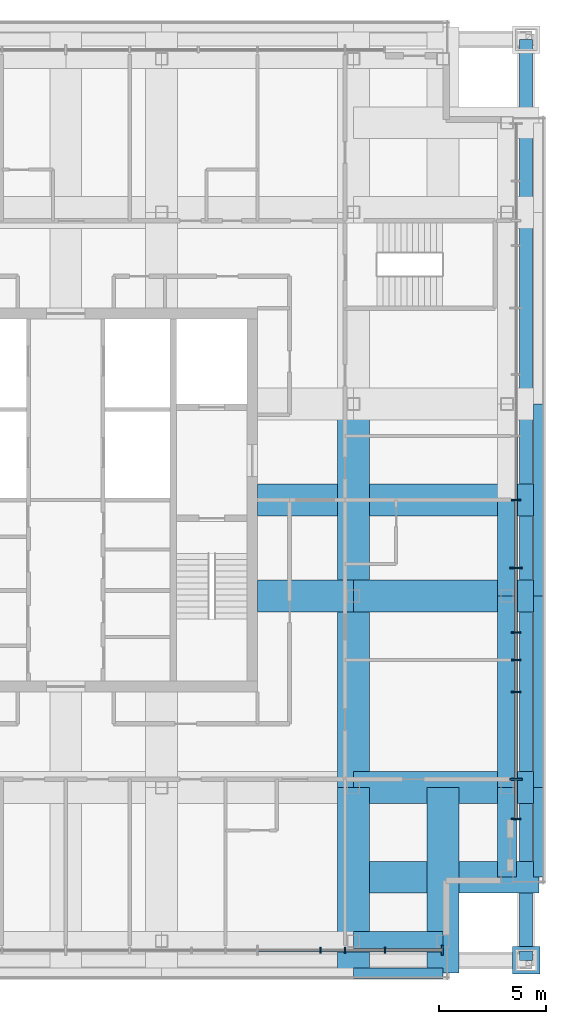
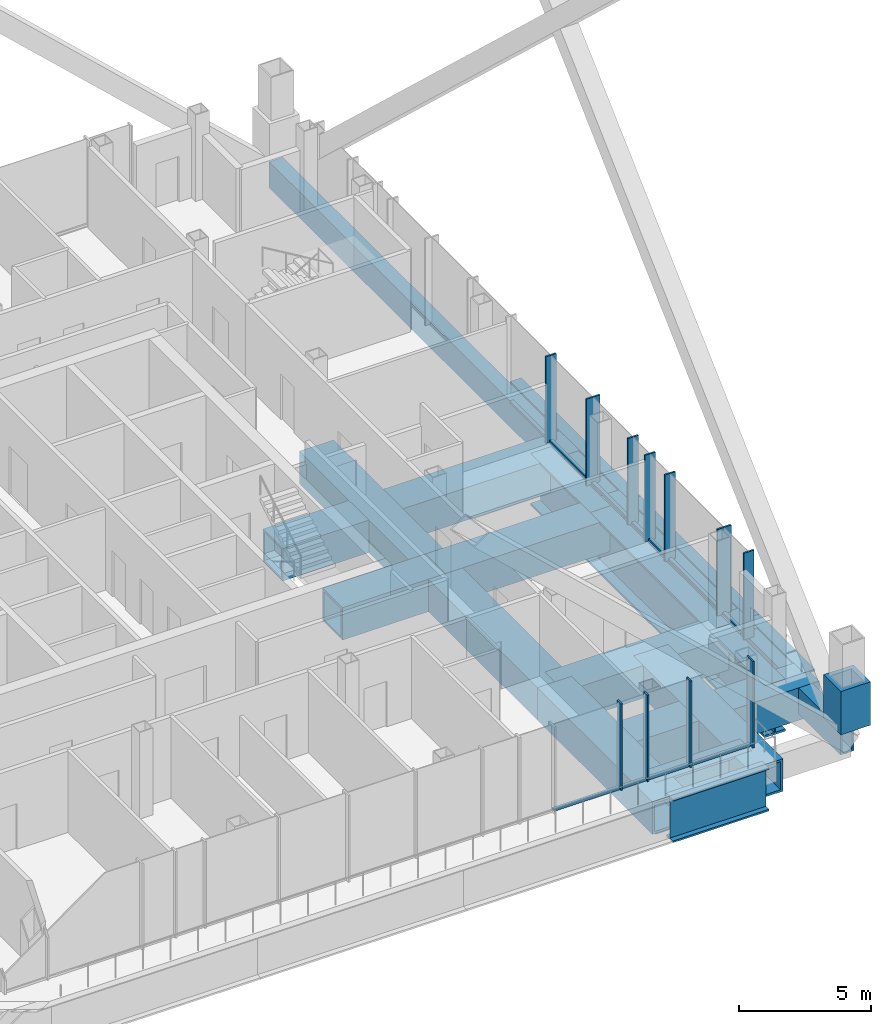
# One storey, part 6 of 19: 24 members, 17 beams, 2 elements without a shape of their own.
"""IFC4 building model written with IfcOpenShell, lengths in metres."""

from ifc_helpers import new_model, si_unit, direction, frame, origin, origin_2d, place, context, subcontext, project, spatial, rectangle, hollow_rectangle, i_section, extrude, material, layer, layer_set, material_profile, profile_set, type_object, element, aggregate, save


model = new_model("IFC4")

# Units and contexts
model_context = context("Model", 3, precision=1e-05, world=origin(), true_north=direction((0.0, 1.0)))
body_context = subcontext(model_context, "Body", "Model", "MODEL_VIEW")
ifc_project = project(units=[si_unit("LENGTHUNIT", "METRE"), si_unit("AREAUNIT", "SQUARE_METRE"), si_unit("VOLUMEUNIT", "CUBIC_METRE"), si_unit("PLANEANGLEUNIT", "RADIAN"), si_unit("MASSUNIT", "GRAM", prefix="KILO")], contexts=[model_context])

# Site, building, storey
site_placement = place(None, origin())
site = spatial("IfcSite", under=ifc_project, at=site_placement, CompositionType="ELEMENT")
building_placement = place(site_placement, origin())
building = spatial("IfcBuilding", under=site, at=building_placement, Name="Malebo Sky Hospital", CompositionType="ELEMENT")
storey_placement = place(building_placement, frame((0.0, 0.0, 250.0)))
storey = spatial("IfcBuildingStorey", under=building, at=storey_placement, Name="L60", CompositionType="ELEMENT", Elevation=250.0)

# Curtain wall, members
ifc_material_1 = material(Name="Anodised aluminium, natural silver", Category="aluminium")
ifc_layer_1 = layer(ifc_material_1, 0.25)
ifc_layer_set_1 = layer_set([ifc_layer_1], Name="WARD CURTAIN WALL NORTH AND SOUTH")
curtain_wall_type_1 = type_object("IfcCurtainWallType", Name="WARD CURTAIN WALL NORTH AND SOUTH", PredefinedType="NOTDEFINED", material=ifc_layer_set_1)
curtain_wall_1_placement = place(storey_placement, origin())
curtain_wall_1 = element("IfcCurtainWall", 1, at=curtain_wall_1_placement, inside=storey, type_object=curtain_wall_type_1, Name="NS curtain wall S", PredefinedType="NOTDEFINED")
ifc_material_profile_1 = material_profile(ifc_material_1, rectangle(XDim=0.14990234375, YDim=0.10009765625, at=origin_2d()), Name="ALUMINIUM TRANSOM 150x100")
ifc_profile_set_1 = profile_set([ifc_material_profile_1], Name="Anodised aluminium, natural silver")
member_type_1 = type_object("IfcMemberType", Name="ALUMINIUM TRANSOM 150x100", PredefinedType="USERDEFINED", material=ifc_profile_set_1)
member_1_placement = place(storey_placement, frame((77.625, 40.875, 0.050048828125), z_axis=(-1.0, 0.0, 0.0), x_axis=(0.0, -1.0, 0.0)))
member_1 = element("IfcMember", 2, at=member_1_placement, type_object=member_type_1, Name="Transom 1", ObjectType="TRANSOM", PredefinedType="USERDEFINED", context=body_context, shape_type="SweptSolid", body=[
    extrude(rectangle(XDim=0.14990234375, YDim=0.10009765625, at=origin_2d()), origin(), (0.0, 0.0, 1.0), 2.61474609375),
])
member_2_placement = place(storey_placement, frame((74.935302734375, 40.875, 0.050048828125), z_axis=(-1.0, 0.0, 0.0), x_axis=(0.0, -1.0, 0.0)))
member_2 = element("IfcMember", 3, at=member_2_placement, type_object=member_type_1, Name="Transom 2", ObjectType="TRANSOM", PredefinedType="USERDEFINED", context=body_context, shape_type="SweptSolid", body=[
    extrude(rectangle(XDim=0.14990234375, YDim=0.10009765625, at=origin_2d()), origin(), (0.0, 0.0, 1.0), 1.7978515625),
])
member_3_placement = place(storey_placement, frame((73.0625, 40.875, 0.050048828125), z_axis=(-1.0, 0.0, 0.0), x_axis=(0.0, -1.0, 0.0)))
member_3 = element("IfcMember", 4, at=member_3_placement, type_object=member_type_1, Name="Transom 3", ObjectType="TRANSOM", PredefinedType="USERDEFINED", context=body_context, shape_type="SweptSolid", body=[
    extrude(rectangle(XDim=0.14990234375, YDim=0.10009765625, at=origin_2d()), origin(), (0.0, 0.0, 1.0), 1.07958984375),
])
member_4_placement = place(storey_placement, frame((71.907958984375, 40.875, 0.050048828125), z_axis=(-1.0, 0.0, 0.0), x_axis=(0.0, -1.0, 0.0)))
member_4 = element("IfcMember", 5, at=member_4_placement, type_object=member_type_1, Name="Transom 4", ObjectType="TRANSOM", PredefinedType="USERDEFINED", context=body_context, shape_type="SweptSolid", body=[
    extrude(rectangle(XDim=0.14990234375, YDim=0.10009765625, at=origin_2d()), origin(), (0.0, 0.0, 1.0), 2.870361328125),
])

ifc_layer_2 = layer(ifc_material_1, 0.25)
ifc_layer_set_2 = layer_set([ifc_layer_2], Name="WARD CURTAIN WALL EAST AND WEST")
curtain_wall_type_2 = type_object("IfcCurtainWallType", Name="WARD CURTAIN WALL EAST AND WEST", PredefinedType="NOTDEFINED", material=ifc_layer_set_2)
curtain_wall_2_placement = place(storey_placement, origin())
curtain_wall_2 = element("IfcCurtainWall", 6, at=curtain_wall_2_placement, inside=storey, type_object=curtain_wall_type_2, Name="EW curtain wall E", PredefinedType="NOTDEFINED")
member_5_placement = place(storey_placement, frame((81.125, 64.96240234375, 0.050048828125), z_axis=(0.0, -1.0, 0.0), x_axis=(1.0, 0.0, 0.0)))
member_5 = element("IfcMember", 7, at=member_5_placement, type_object=member_type_1, Name="Transom 7", ObjectType="TRANSOM", PredefinedType="USERDEFINED", context=body_context, shape_type="SweptSolid", body=[
    extrude(rectangle(XDim=0.14990234375, YDim=0.10009765625, at=origin_2d()), origin(), (0.0, 0.0, 1.0), 2.9248046875),
])
member_6_placement = place(storey_placement, frame((81.125, 61.96240234375, 0.050048828125), z_axis=(0.0, -1.0, 0.0), x_axis=(1.0, 0.0, 0.0)))
member_6 = element("IfcMember", 8, at=member_6_placement, type_object=member_type_1, Name="Transom 8", ObjectType="TRANSOM", PredefinedType="USERDEFINED", context=body_context, shape_type="SweptSolid", body=[
    extrude(rectangle(XDim=0.14990234375, YDim=0.10009765625, at=origin_2d()), origin(), (0.0, 0.0, 1.0), 3.11572265625),
])
member_7_placement = place(storey_placement, frame((81.125, 58.771484375, 0.050048828125), z_axis=(0.0, -1.0, 0.0), x_axis=(1.0, 0.0, 0.0)))
member_7 = element("IfcMember", 9, at=member_7_placement, type_object=member_type_1, Name="Transom 9", ObjectType="TRANSOM", PredefinedType="USERDEFINED", context=body_context, shape_type="SweptSolid", body=[
    extrude(rectangle(XDim=0.14990234375, YDim=0.10009765625, at=origin_2d()), origin(), (0.0, 0.0, 1.0), 2.9521484375),
])
member_8_placement = place(storey_placement, frame((81.125, 55.744384765625, 0.050048828125), z_axis=(0.0, -1.0, 0.0), x_axis=(1.0, 0.0, 0.0)))
member_8 = element("IfcMember", 10, at=member_8_placement, type_object=member_type_1, Name="Transom 10", ObjectType="TRANSOM", PredefinedType="USERDEFINED", context=body_context, shape_type="SweptSolid", body=[
    extrude(rectangle(XDim=0.14990234375, YDim=0.10009765625, at=origin_2d()), origin(), (0.0, 0.0, 1.0), 1.206787109375),
])
member_9_placement = place(storey_placement, frame((81.125, 54.46240234375, 0.050048828125), z_axis=(0.0, -1.0, 0.0), x_axis=(1.0, 0.0, 0.0)))
member_9 = element("IfcMember", 11, at=member_9_placement, type_object=member_type_1, Name="Transom 11", ObjectType="TRANSOM", PredefinedType="USERDEFINED", context=body_context, shape_type="SweptSolid", body=[
    extrude(rectangle(XDim=0.14990234375, YDim=0.10009765625, at=origin_2d()), origin(), (0.0, 0.0, 1.0), 1.4248046875),
])
member_10_placement = place(storey_placement, frame((81.125, 52.96240234375, 0.050048828125), z_axis=(0.0, -1.0, 0.0), x_axis=(1.0, 0.0, 0.0)))
member_10 = element("IfcMember", 12, at=member_10_placement, type_object=member_type_1, Name="Transom 12", ObjectType="TRANSOM", PredefinedType="USERDEFINED", context=body_context, shape_type="SweptSolid", body=[
    extrude(rectangle(XDim=0.14990234375, YDim=0.10009765625, at=origin_2d()), origin(), (0.0, 0.0, 1.0), 4.02490234375),
])
member_11_placement = place(storey_placement, frame((81.125, 48.862548828125, 0.050048828125), z_axis=(0.0, -1.0, 0.0), x_axis=(1.0, 0.0, 0.0)))
member_11 = element("IfcMember", 13, at=member_11_placement, type_object=member_type_1, Name="Transom 13", ObjectType="TRANSOM", PredefinedType="USERDEFINED", context=body_context, shape_type="SweptSolid", body=[
    extrude(rectangle(XDim=0.14990234375, YDim=0.10009765625, at=origin_2d()), origin(), (0.0, 0.0, 1.0), 1.78759765625),
])

# Member
ifc_material_profile_2 = material_profile(ifc_material_1, rectangle(XDim=0.074951171875, YDim=0.300048828125, at=origin_2d()), Name="CW1 ALUMINIUM FIN MULLION 75x300")
ifc_profile_set_2 = profile_set([ifc_material_profile_2], Name="Anodised aluminium, natural silver")
member_type_2 = type_object("IfcMemberType", Name="CW1 ALUMINIUM FIN MULLION 75x300", PredefinedType="MULLION", material=ifc_profile_set_2)
member_12_placement = place(storey_placement, frame((74.97265625, 40.875, 0.0), z_axis=(0.0, 0.0, 1.0), x_axis=(-1.0, 0.0, 0.0)))
member_12 = element("IfcMember", 14, at=member_12_placement, type_object=member_type_2, Name="Fin mullion 2", PredefinedType="MULLION", context=body_context, shape_type="SweptSolid", body=[
    extrude(rectangle(XDim=0.074951171875, YDim=0.300048828125, at=origin_2d()), origin(), (0.0, 0.0, 1.0), 4.0),
])

member_13_placement = place(storey_placement, frame((73.10009765625, 40.875, 0.0), z_axis=(0.0, 0.0, 1.0), x_axis=(-1.0, 0.0, 0.0)))
member_13 = element("IfcMember", 15, at=member_13_placement, type_object=member_type_2, Name="Fin mullion 3", PredefinedType="MULLION", context=body_context, shape_type="SweptSolid", body=[
    extrude(rectangle(XDim=0.074951171875, YDim=0.300048828125, at=origin_2d()), origin(), (0.0, 0.0, 1.0), 4.0),
])

member_14_placement = place(storey_placement, frame((71.945556640625, 40.875, 0.0), z_axis=(0.0, 0.0, 1.0), x_axis=(-1.0, 0.0, 0.0)))
member_14 = element("IfcMember", 16, at=member_14_placement, type_object=member_type_2, Name="Fin mullion 4", PredefinedType="MULLION", context=body_context, shape_type="SweptSolid", body=[
    extrude(rectangle(XDim=0.074951171875, YDim=0.300048828125, at=origin_2d()), origin(), (0.0, 0.0, 1.0), 4.0),
])

ifc_material_profile_3 = material_profile(ifc_material_1, rectangle(XDim=0.074951171875, YDim=0.449951171875, at=origin_2d()), Name="CW1 ALUMINIUM FIN MULLION 75x450")
ifc_profile_set_3 = profile_set([ifc_material_profile_3], Name="Anodised aluminium, natural silver")
member_type_3 = type_object("IfcMemberType", Name="CW1 ALUMINIUM FIN MULLION 75x450", PredefinedType="MULLION", material=ifc_profile_set_3)
member_15_placement = place(storey_placement, frame((77.66259765625, 40.875, 0.0), z_axis=(0.0, 0.0, 1.0), x_axis=(-1.0, 0.0, 0.0)))
member_15 = element("IfcMember", 17, at=member_15_placement, type_object=member_type_3, Name="Fin mullion 1", PredefinedType="MULLION", context=body_context, shape_type="SweptSolid", body=[
    extrude(rectangle(XDim=0.074951171875, YDim=0.449951171875, at=origin_2d()), origin(), (0.0, 0.0, 1.0), 4.0),
])

aggregate(curtain_wall_1, [member_15, member_12, member_13, member_14, member_1, member_2, member_3, member_4])

ifc_material_profile_4 = material_profile(ifc_material_1, rectangle(XDim=0.074951171875, YDim=0.449951171875, at=origin_2d()), Name="CW2 ALUMINIUM FIN MULLION 75x450")
ifc_profile_set_4 = profile_set([ifc_material_profile_4], Name="Anodised aluminium, natural silver")
member_type_4 = type_object("IfcMemberType", Name="CW2 ALUMINIUM FIN MULLION 75x450", PredefinedType="MULLION", material=ifc_profile_set_4)
member_16_placement = place(storey_placement, frame((81.125, 62.0, 0.0), z_axis=(0.0, 0.0, 1.0), x_axis=(0.0, -1.0, 0.0)))
member_16 = element("IfcMember", 18, at=member_16_placement, type_object=member_type_4, Name="Fin mullion 8", PredefinedType="MULLION", context=body_context, shape_type="SweptSolid", body=[
    extrude(rectangle(XDim=0.074951171875, YDim=0.449951171875, at=origin_2d()), origin(), (0.0, 0.0, 1.0), 4.0),
])

member_17_placement = place(storey_placement, frame((81.125, 55.78173828125, 0.0), z_axis=(0.0, 0.0, 1.0), x_axis=(0.0, -1.0, 0.0)))
member_17 = element("IfcMember", 19, at=member_17_placement, type_object=member_type_4, Name="Fin mullion 10", PredefinedType="MULLION", context=body_context, shape_type="SweptSolid", body=[
    extrude(rectangle(XDim=0.074951171875, YDim=0.449951171875, at=origin_2d()), origin(), (0.0, 0.0, 1.0), 4.0),
])

member_18_placement = place(storey_placement, frame((81.125, 54.5, 0.0), z_axis=(0.0, 0.0, 1.0), x_axis=(0.0, -1.0, 0.0)))
member_18 = element("IfcMember", 20, at=member_18_placement, type_object=member_type_4, Name="Fin mullion 11", PredefinedType="MULLION", context=body_context, shape_type="SweptSolid", body=[
    extrude(rectangle(XDim=0.074951171875, YDim=0.449951171875, at=origin_2d()), origin(), (0.0, 0.0, 1.0), 4.0),
])

member_19_placement = place(storey_placement, frame((81.125, 53.0, 0.0), z_axis=(0.0, 0.0, 1.0), x_axis=(0.0, -1.0, 0.0)))
member_19 = element("IfcMember", 21, at=member_19_placement, type_object=member_type_4, Name="Fin mullion 12", PredefinedType="MULLION", context=body_context, shape_type="SweptSolid", body=[
    extrude(rectangle(XDim=0.074951171875, YDim=0.449951171875, at=origin_2d()), origin(), (0.0, 0.0, 1.0), 4.0),
])

member_20_placement = place(storey_placement, frame((81.125, 47.03759765625, 0.0), z_axis=(0.0, 0.0, 1.0), x_axis=(0.0, -1.0, 0.0)))
member_20 = element("IfcMember", 22, at=member_20_placement, type_object=member_type_4, Name="Fin mullion 14", PredefinedType="MULLION", context=body_context, shape_type="SweptSolid", body=[
    extrude(rectangle(XDim=0.074951171875, YDim=0.449951171875, at=origin_2d()), origin(), (0.0, 0.0, 1.0), 4.0),
])

ifc_material_profile_5 = material_profile(ifc_material_1, rectangle(XDim=0.074951171875, YDim=0.60009765625, at=origin_2d()), Name="CW2 ALUMINIUM FIN MULLION 75x600")
ifc_profile_set_5 = profile_set([ifc_material_profile_5], Name="Anodised aluminium, natural silver")
member_type_5 = type_object("IfcMemberType", Name="CW2 ALUMINIUM FIN MULLION 75x600", PredefinedType="MULLION", material=ifc_profile_set_5)
member_21_placement = place(storey_placement, frame((81.125, 58.80908203125, 0.0), z_axis=(0.0, 0.0, 1.0), x_axis=(0.0, -1.0, 0.0)))
member_21 = element("IfcMember", 23, at=member_21_placement, type_object=member_type_5, Name="Fin mullion 9", PredefinedType="MULLION", context=body_context, shape_type="SweptSolid", body=[
    extrude(rectangle(XDim=0.074951171875, YDim=0.60009765625, at=origin_2d()), origin(), (0.0, 0.0, 1.0), 4.0),
])

member_22_placement = place(storey_placement, frame((81.125, 48.89990234375, 0.0), z_axis=(0.0, 0.0, 1.0), x_axis=(0.0, -1.0, 0.0)))
member_22 = element("IfcMember", 24, at=member_22_placement, type_object=member_type_5, Name="Fin mullion 13", PredefinedType="MULLION", context=body_context, shape_type="SweptSolid", body=[
    extrude(rectangle(XDim=0.074951171875, YDim=0.60009765625, at=origin_2d()), origin(), (0.0, 0.0, 1.0), 4.0),
])

aggregate(curtain_wall_2, [member_16, member_21, member_17, member_18, member_19, member_22, member_20, member_5, member_6, member_7, member_8, member_9, member_10, member_11])

# Members
ifc_material_2 = material(Name="Steel S460", Category="steel")
ifc_material_profile_6 = material_profile(ifc_material_2, hollow_rectangle(XDim=1.300048828125, YDim=1.300048828125, WallThickness=0.199951171875, at=origin_2d()), Name="BOX 1300x1300x200")
ifc_profile_set_6 = profile_set([ifc_material_profile_6], Name="Steel S460")
member_type_6 = type_object("IfcMemberType", Name="MEGA COLUMN NODE BOX 1300x1300x200", PredefinedType="MEMBER", material=ifc_profile_set_6)
member_23_placement = place(storey_placement, frame((81.60009765625, 40.39990234375, 0.0), z_axis=(0.0, 0.0, 1.0), x_axis=(1.0, 0.0, 0.0)))
element("IfcMember", 25, at=member_23_placement, inside=storey, type_object=member_type_6, Name="Mega column node SE L60", PredefinedType="MEMBER", context=body_context, shape_type="SweptSolid", body=[
    extrude(hollow_rectangle(XDim=1.300048828125, YDim=1.300048828125, WallThickness=0.199951171875, at=origin_2d()), origin(), (0.0, 0.0, 1.0), 2.0),
])
ifc_material_profile_7 = material_profile(ifc_material_2, hollow_rectangle(XDim=0.60009765625, YDim=1.199951171875, WallThickness=0.080078125, at=origin_2d()), Name="BOX 1200x600x80")
ifc_profile_set_7 = profile_set([ifc_material_profile_7], Name="Steel S460")
member_type_7 = type_object("IfcMemberType", Name="MEGA TIE BOX 1200x600x80", PredefinedType="CHORD", material=ifc_profile_set_7)
member_24_placement = place(storey_placement, frame((81.60009765625, 40.39990234375, -0.85009765625), z_axis=(0.0, 1.0, 0.0), x_axis=(-1.0, 0.0, 0.0)))
element("IfcMember", 26, at=member_24_placement, inside=storey, type_object=member_type_7, Name="Mega tie DE L60", PredefinedType="CHORD", context=body_context, shape_type="SweptSolid", body=[
    extrude(hollow_rectangle(XDim=0.60009765625, YDim=1.199951171875, WallThickness=0.080078125, at=origin_2d()), origin(), (0.0, 0.0, 1.0), 43.2001953125),
])

# Beams
ifc_material_profile_8 = material_profile(ifc_material_2, hollow_rectangle(XDim=1.5, YDim=1.5, WallThickness=0.10009765625, at=origin_2d()), Name="BOX 1500x1500x100")
ifc_profile_set_8 = profile_set([ifc_material_profile_8], Name="Steel S460")
beam_type_1 = type_object("IfcBeamType", Name="TRANSFER GIRDER BOX 1500x1500x100", PredefinedType="BEAM", material=ifc_profile_set_8)
beam_1_placement = place(storey_placement, frame((73.5, 39.800048828125, -1.0), z_axis=(0.0, 1.0, 0.0), x_axis=(-1.0, 0.0, 0.0)))
element("IfcBeam", 27, at=beam_1_placement, inside=storey, type_object=beam_type_1, Name="Beam 023 L60", PredefinedType="BEAM", context=body_context, shape_type="SweptSolid", body=[
    extrude(hollow_rectangle(XDim=1.5, YDim=1.5, WallThickness=0.10009765625, at=origin_2d()), origin(), (0.0, 0.0, 1.0), 8.699951171875),
])
for number, where, z_axis, x_axis, name in (
    (28, (73.5, 48.5, -1.0), (0.0, 1.0, 0.0), (-1.0, 0.0, 0.0), "Beam 024 L60"),
    (29, (73.5, 57.5, -1.0), (0.0, 1.0, 0.0), (-1.0, 0.0, 0.0), "Beam 025 L60"),
):
    element("IfcBeam", number, at=place(storey_placement, frame(where, z_axis=z_axis, x_axis=x_axis)), inside=storey, type_object=beam_type_1, Name=name, PredefinedType="BEAM", context=body_context, shape_type="SweptSolid", body=[
        extrude(hollow_rectangle(XDim=1.5, YDim=1.5, WallThickness=0.10009765625, at=origin_2d()), origin(), (0.0, 0.0, 1.0), 9.0),
    ])
beam_2_placement = place(storey_placement, frame((73.5, 48.5, -1.0), z_axis=(1.0, 0.0, 0.0), x_axis=(0.0, 1.0, 0.0)))
element("IfcBeam", 30, at=beam_2_placement, inside=storey, type_object=beam_type_1, Name="Beam 048 L60", PredefinedType="BEAM", context=body_context, shape_type="SweptSolid", body=[
    extrude(hollow_rectangle(XDim=1.5, YDim=1.5, WallThickness=0.10009765625, at=origin_2d()), origin(), (0.0, 0.0, 1.0), 8.699951171875),
])
beam_3_placement = place(storey_placement, frame((69.0, 57.5, -1.0), z_axis=(1.0, 0.0, 0.0), x_axis=(0.0, 1.0, 0.0)))
element("IfcBeam", 31, at=beam_3_placement, inside=storey, type_object=beam_type_1, Name="Beam 051 L60", PredefinedType="BEAM", context=body_context, shape_type="SweptSolid", body=[
    extrude(hollow_rectangle(XDim=1.5, YDim=1.5, WallThickness=0.10009765625, at=origin_2d()), origin(), (0.0, 0.0, 1.0), 4.5),
])
for number, where, z_axis, x_axis, name in (
    (32, (73.5, 57.5, -1.0), (1.0, 0.0, 0.0), (0.0, 1.0, 0.0), "Beam 052 L60"),
    (33, (77.699951171875, 39.800048828125, -1.0), (0.0, 1.0, 0.0), (-1.0, 0.0, 0.0), "Beam 028 L60"),
    (34, (73.5, 44.300048828125, -1.0), (1.0, 0.0, 0.0), (0.0, 1.0, 0.0), "Beam 043 L60"),
):
    element("IfcBeam", number, at=place(storey_placement, frame(where, z_axis=z_axis, x_axis=x_axis)), inside=storey, type_object=beam_type_1, Name=name, PredefinedType="BEAM", context=body_context, shape_type="SweptSolid", body=[
        extrude(hollow_rectangle(XDim=1.5, YDim=1.5, WallThickness=0.10009765625, at=origin_2d()), origin(), (0.0, 0.0, 1.0), 8.699951171875),
    ])
beam_4_placement = place(storey_placement, frame((69.0, 62.0, -1.0), z_axis=(1.0, 0.0, 0.0), x_axis=(0.0, 1.0, 0.0)))
element("IfcBeam", 35, at=beam_4_placement, inside=storey, type_object=beam_type_1, Name="Beam 054 L60", PredefinedType="BEAM", context=body_context, shape_type="SweptSolid", body=[
    extrude(hollow_rectangle(XDim=1.5, YDim=1.5, WallThickness=0.10009765625, at=origin_2d()), origin(), (0.0, 0.0, 1.0), 13.199951171875),
])
ifc_material_3 = material(Name="Steel S355", Category="steel")
ifc_material_profile_9 = material_profile(ifc_material_3, i_section(OverallWidth=0.5, OverallDepth=2.0, WebThickness=0.0400390625, FlangeThickness=0.080078125, at=origin_2d()), Name="PG 2000x500x40x80")
ifc_profile_set_9 = profile_set([ifc_material_profile_9], Name="Steel S355")
beam_type_2 = type_object("IfcBeamType", Name="TRANSFER GIRDER PG 2000x500x40x80", PredefinedType="BEAM", material=ifc_profile_set_9)
beam_5_placement = place(storey_placement, frame((82.199951171875, 44.300048828125, -1.25), z_axis=(0.0, 1.0, 0.0), x_axis=(-1.0, 0.0, 0.0)))
element("IfcBeam", 36, at=beam_5_placement, inside=storey, type_object=beam_type_2, Name="Beam 031 L60", PredefinedType="BEAM", context=body_context, shape_type="SweptSolid", body=[
    extrude(i_section(OverallWidth=0.5, OverallDepth=2.0, WebThickness=0.0400390625, FlangeThickness=0.080078125, at=origin_2d()), origin(), (0.0, 0.0, 1.0), 4.199951171875),
])
for number, where, z_axis, x_axis, name in (
    (37, (82.199951171875, 48.5, -1.25), (0.0, 1.0, 0.0), (-1.0, 0.0, 0.0), "Beam 032 L60"),
    (38, (82.199951171875, 57.5, -1.25), (0.0, 1.0, 0.0), (-1.0, 0.0, 0.0), "Beam 033 L60"),
):
    element("IfcBeam", number, at=place(storey_placement, frame(where, z_axis=z_axis, x_axis=x_axis)), inside=storey, type_object=beam_type_2, Name=name, PredefinedType="BEAM", context=body_context, shape_type="SweptSolid", body=[
        extrude(i_section(OverallWidth=0.5, OverallDepth=2.0, WebThickness=0.0400390625, FlangeThickness=0.080078125, at=origin_2d()), origin(), (0.0, 0.0, 1.0), 9.0),
    ])
beam_6_placement = place(storey_placement, frame((73.5, 39.800048828125, -1.25), z_axis=(1.0, 0.0, 0.0), x_axis=(0.0, 1.0, 0.0)))
element("IfcBeam", 39, at=beam_6_placement, inside=storey, type_object=beam_type_2, Name="Beam 040 L60", PredefinedType="BEAM", context=body_context, shape_type="SweptSolid", body=[
    extrude(i_section(OverallWidth=0.5, OverallDepth=2.0, WebThickness=0.0400390625, FlangeThickness=0.080078125, at=origin_2d()), origin(), (0.0, 0.0, 1.0), 4.199951171875),
])
ifc_material_profile_10 = material_profile(ifc_material_3, i_section(OverallWidth=0.89990234375, OverallDepth=2.39990234375, WebThickness=0.050048828125, FlangeThickness=0.10009765625, at=origin_2d()), Name="PG 2400x900x50x100")
ifc_profile_set_10 = profile_set([ifc_material_profile_10], Name="Steel S355")
beam_type_3 = type_object("IfcBeamType", Name="TRANSFER GIRDER PG 2400x900x50x100", PredefinedType="BEAM", material=ifc_profile_set_10)
beam_7_placement = place(storey_placement, frame((80.699951171875, 44.300048828125, -1.449951171875), z_axis=(0.0, 1.0, 0.0), x_axis=(-1.0, 0.0, 0.0)))
element("IfcBeam", 40, at=beam_7_placement, inside=storey, type_object=beam_type_3, Name="Beam 030 L60", PredefinedType="BEAM", context=body_context, shape_type="SweptSolid", body=[
    extrude(i_section(OverallWidth=0.89990234375, OverallDepth=2.39990234375, WebThickness=0.050048828125, FlangeThickness=0.10009765625, at=origin_2d()), origin(), (0.0, 0.0, 1.0), 4.199951171875),
])
beam_8_placement = place(storey_placement, frame((80.699951171875, 48.5, -1.449951171875), z_axis=(0.0, 1.0, 0.0), x_axis=(-1.0, 0.0, 0.0)))
element("IfcBeam", 41, at=beam_8_placement, inside=storey, type_object=beam_type_3, Name="Beam 030b L60", PredefinedType="BEAM", context=body_context, shape_type="SweptSolid", body=[
    extrude(i_section(OverallWidth=0.89990234375, OverallDepth=2.39990234375, WebThickness=0.050048828125, FlangeThickness=0.10009765625, at=origin_2d()), origin(), (0.0, 0.0, 1.0), 9.0),
])
beam_9_placement = place(storey_placement, frame((80.699951171875, 57.5, -1.449951171875), z_axis=(0.0, 1.0, 0.0), x_axis=(-1.0, 0.0, 0.0)))
element("IfcBeam", 42, at=beam_9_placement, inside=storey, type_object=beam_type_3, Name="Beam 030c L60", PredefinedType="BEAM", context=body_context, shape_type="SweptSolid", body=[
    extrude(i_section(OverallWidth=0.89990234375, OverallDepth=2.39990234375, WebThickness=0.050048828125, FlangeThickness=0.10009765625, at=origin_2d()), origin(), (0.0, 0.0, 1.0), 4.5),
])
beam_10_placement = place(storey_placement, frame((73.5, 41.300048828125, -1.449951171875), z_axis=(1.0, 0.0, 0.0), x_axis=(0.0, 1.0, 0.0)))
element("IfcBeam", 43, at=beam_10_placement, inside=storey, type_object=beam_type_3, Name="Beam 041f L60", PredefinedType="BEAM", context=body_context, shape_type="SweptSolid", body=[
    extrude(i_section(OverallWidth=0.89990234375, OverallDepth=2.39990234375, WebThickness=0.050048828125, FlangeThickness=0.10009765625, at=origin_2d()), origin(), (0.0, 0.0, 1.0), 4.199951171875),
])

save(model, "model.ifc")
